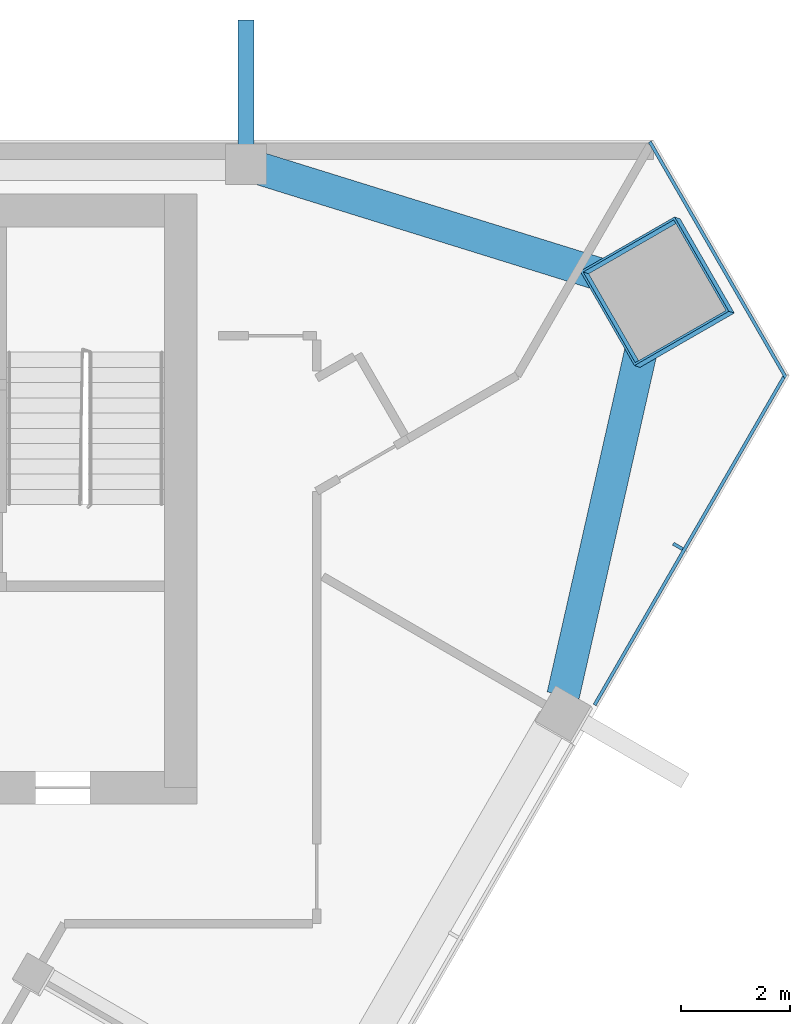
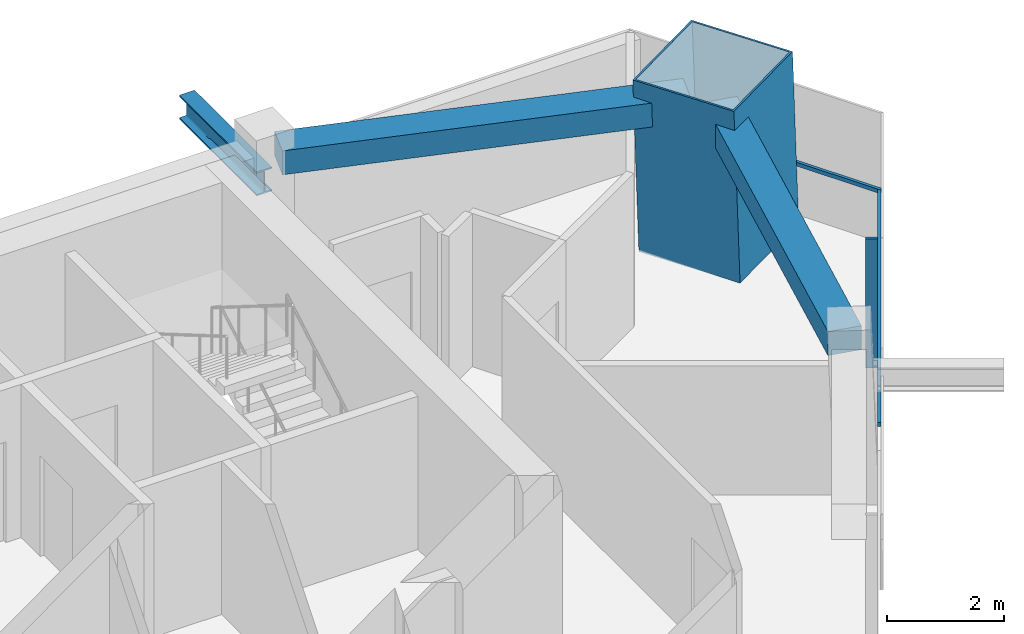
# One storey, part 6 of 12: 5 members, 2 beams, 2 elements without a shape of their own.
"""IFC4 building model written with IfcOpenShell, lengths in metres."""

from ifc_helpers import new_model, si_unit, direction, frame, origin, origin_2d, place, context, subcontext, project, spatial, rectangle, hollow_rectangle, i_section, extrude, material, layer, layer_set, material_profile, profile_set, type_object, element, aggregate, save


model = new_model("IFC4")

# Units and contexts
model_context = context("Model", 3, precision=1e-05, world=origin(), true_north=direction((0.0, 1.0)))
body_context = subcontext(model_context, "Body", "Model", "MODEL_VIEW")
ifc_project = project(units=[si_unit("LENGTHUNIT", "METRE"), si_unit("AREAUNIT", "SQUARE_METRE"), si_unit("VOLUMEUNIT", "CUBIC_METRE"), si_unit("PLANEANGLEUNIT", "RADIAN"), si_unit("MASSUNIT", "GRAM", prefix="KILO")], contexts=[model_context])

# Site, building, storey
site_placement = place(None, origin())
site = spatial("IfcSite", under=ifc_project, at=site_placement, CompositionType="ELEMENT")
building_placement = place(site_placement, origin())
building = spatial("IfcBuilding", under=site, at=building_placement, Name="Altiplano Prism Tower", CompositionType="ELEMENT")
storey_placement = place(building_placement, frame((0.0, 0.0, 260.800048828125)))
storey = spatial("IfcBuildingStorey", under=building, at=storey_placement, Name="L67", CompositionType="ELEMENT", Elevation=260.800048828125)

# Member
ifc_material_1 = material(Name="Steel S355", Category="steel")
ifc_material_profile_1 = material_profile(ifc_material_1, i_section(OverallWidth=0.300048828125, OverallDepth=0.5, WebThickness=0.014404296875, FlangeThickness=0.028076171875, FilletRadius=0.027099609375, at=origin_2d()), Name="Brace bracket HEB 500")
ifc_profile_set_1 = profile_set([ifc_material_profile_1], Name="Steel S355")
member_type_1 = type_object("IfcMemberType", Name="Brace bracket HEB 500", PredefinedType="STRUT", material=ifc_profile_set_1)
member_1_placement = place(storey_placement, frame((98.5, 104.550048828125, 2.39599609375), z_axis=(0.0, 1.0, 0.0), x_axis=(-1.0, 0.0, 0.0)))
element("IfcMember", 1, at=member_1_placement, inside=storey, type_object=member_type_1, Name="Brace bracket 0.264.4", PredefinedType="STRUT", context=body_context, shape_type="SweptSolid", body=[
    extrude(i_section(OverallWidth=0.300048828125, OverallDepth=0.5, WebThickness=0.014404296875, FlangeThickness=0.028076171875, FilletRadius=0.027099609375, at=origin_2d()), origin(), (0.0, 0.0, 1.0), 2.64990234375),
])

# Curtain wall, members
ifc_material_2 = material(Name="Aluminium and glass", Category="aluminium")
ifc_layer = layer(ifc_material_2, 0.303955078125)
ifc_layer_set = layer_set([ifc_layer], Name="Aluminium and glass")
curtain_wall_type = type_object("IfcCurtainWallType", Name="CW2 lounge-band unitised glazing", PredefinedType="NOTDEFINED", material=ifc_layer_set)
curtain_wall_1_placement = place(storey_placement, origin())
curtain_wall_1 = element("IfcCurtainWall", 2, at=curtain_wall_1_placement, inside=storey, type_object=curtain_wall_type, Name="CW2 curtain wall south-east face L67", PredefinedType="NOTDEFINED")
ifc_material_3 = material(Name="Aluminium", Category="aluminium")
ifc_material_profile_2 = material_profile(ifc_material_3, rectangle(XDim=0.199951171875, YDim=0.06005859375, at=origin_2d()), Name="CW2 mullion 60 x 200")
ifc_profile_set_2 = profile_set([ifc_material_profile_2], Name="Aluminium")
member_type_2 = type_object("IfcMemberType", Name="CW2 mullion 60 x 200", PredefinedType="MULLION", material=ifc_profile_set_2)
member_2_placement = place(storey_placement, frame((106.435546875, 97.531005859375, 0.0), z_axis=(0.0, 0.0, 1.0), x_axis=(-0.866025400163, 0.500000006273, 0.0)))
member_2 = element("IfcMember", 3, at=member_2_placement, type_object=member_type_2, Name="CW2 mullion", PredefinedType="MULLION", context=body_context, shape_type="SweptSolid", body=[
    extrude(rectangle(XDim=0.199951171875, YDim=0.06005859375, at=origin_2d()), origin(), (0.0, 0.0, 1.0), 2.699951171875),
])
ifc_material_profile_3 = material_profile(ifc_material_3, rectangle(XDim=0.06005859375, YDim=0.080078125, at=origin_2d()), Name="CW2 transom 80 x 60")
ifc_profile_set_3 = profile_set([ifc_material_profile_3], Name="Aluminium")
member_type_3 = type_object("IfcMemberType", Name="CW2 transom 80 x 60", PredefinedType="USERDEFINED", material=ifc_profile_set_3)
member_3_placement = place(storey_placement, frame((104.90478515625, 94.619873046875, 1.099853515625), z_axis=(0.500021169622, 0.866013181153, 0.0), x_axis=(-0.866013181153, 0.500021169622, 0.0)))
member_3 = element("IfcMember", 4, at=member_3_placement, type_object=member_type_3, Name="CW2 transom", ObjectType="TRANSOM", PredefinedType="USERDEFINED", context=body_context, shape_type="SweptSolid", body=[
    extrude(rectangle(XDim=0.06005859375, YDim=0.080078125, at=origin_2d()), origin(), (0.0, 0.0, 1.0), 7.027587890625),
])
aggregate(curtain_wall_1, [member_2, member_3])

# Curtain wall, member
curtain_wall_2_placement = place(storey_placement, origin())
curtain_wall_2 = element("IfcCurtainWall", 5, at=curtain_wall_2_placement, inside=storey, type_object=curtain_wall_type, Name="CW2 curtain wall north-east chamfer L67", PredefinedType="NOTDEFINED")
member_4_placement = place(storey_placement, frame((108.418701171875, 100.6318359375, 1.099853515625), z_axis=(-0.500029517631, 0.866008361102, 0.0), x_axis=(-0.866008361102, -0.500029517631, 0.0)))
member_4 = element("IfcMember", 6, at=member_4_placement, type_object=member_type_3, Name="CW2 transom", ObjectType="TRANSOM", PredefinedType="USERDEFINED", context=body_context, shape_type="SweptSolid", body=[
    extrude(rectangle(XDim=0.06005859375, YDim=0.080078125, at=origin_2d()), origin(), (0.0, 0.0, 1.0), 5.001220703125),
])
aggregate(curtain_wall_2, [member_4])

# Beams
ifc_material_4 = material(Name="Concrete C60/75", Category="concrete")
ifc_material_profile_4 = material_profile(ifc_material_4, rectangle(XDim=0.60009765625, YDim=0.5, at=origin_2d()), Name="Edge beam 600x500")
ifc_profile_set_4 = profile_set([ifc_material_profile_4], Name="Concrete C60/75")
beam_type = type_object("IfcBeamType", Name="Edge beam 600x500", PredefinedType="SPANDREL", material=ifc_profile_set_4)
for number, where, z_axis, x_axis, name in (
    (7, (104.326171875, 94.793212890625, 2.949951171875), (0.220455479806, 0.975397037838, 0.0), (-0.975397037838, 0.220455479806, 0.0), "Edge beam P24-M2 L68"),
    (8, (105.574462890625, 102.351318359375, 2.949951171875), (-0.954945264965, 0.296781975397, 0.0), (-0.296781975397, -0.954945264965, 0.0), "Edge beam M2-P01 L68"),
):
    element("IfcBeam", number, at=place(storey_placement, frame(where, z_axis=z_axis, x_axis=x_axis)), inside=storey, type_object=beam_type, Name=name, PredefinedType="SPANDREL", context=body_context, shape_type="SweptSolid", body=[
        extrude(rectangle(XDim=0.60009765625, YDim=0.5, at=origin_2d()), origin(), (0.0, 0.0, 1.0), 7.161865234375),
    ])

# Member
ifc_material_5 = material(Name="Steel S460", Category="steel")
ifc_material_profile_5 = material_profile(ifc_material_5, hollow_rectangle(XDim=2.0, YDim=2.0, WallThickness=0.0400390625, at=origin_2d()), Name="Mega column tube 2000")
ifc_profile_set_5 = profile_set([ifc_material_profile_5], Name="Steel S460")
member_type_4 = type_object("IfcMemberType", Name="Mega column tube 2000", PredefinedType="POST", material=ifc_profile_set_5)
member_5_placement = place(storey_placement, frame((106.1064453125, 102.184326171875, 0.0), z_axis=(-0.028335986449, 0.009287153453, 0.999555311452), x_axis=(0.498283105517, -0.866730669529, 0.022178666655)))
element("IfcMember", 9, at=member_5_placement, inside=storey, type_object=member_type_4, Name="Mega column tube M2 L67", PredefinedType="POST", context=body_context, shape_type="SweptSolid", body=[
    extrude(hollow_rectangle(XDim=2.0, YDim=2.0, WallThickness=0.0400390625, at=origin_2d()), origin(), (0.0, 0.0, 1.0), 3.6015625),
])

save(model, "model.ifc")
